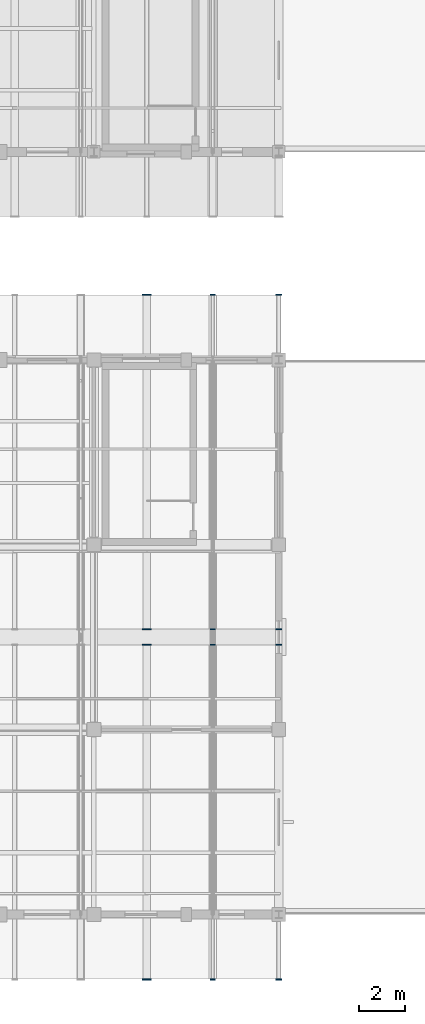
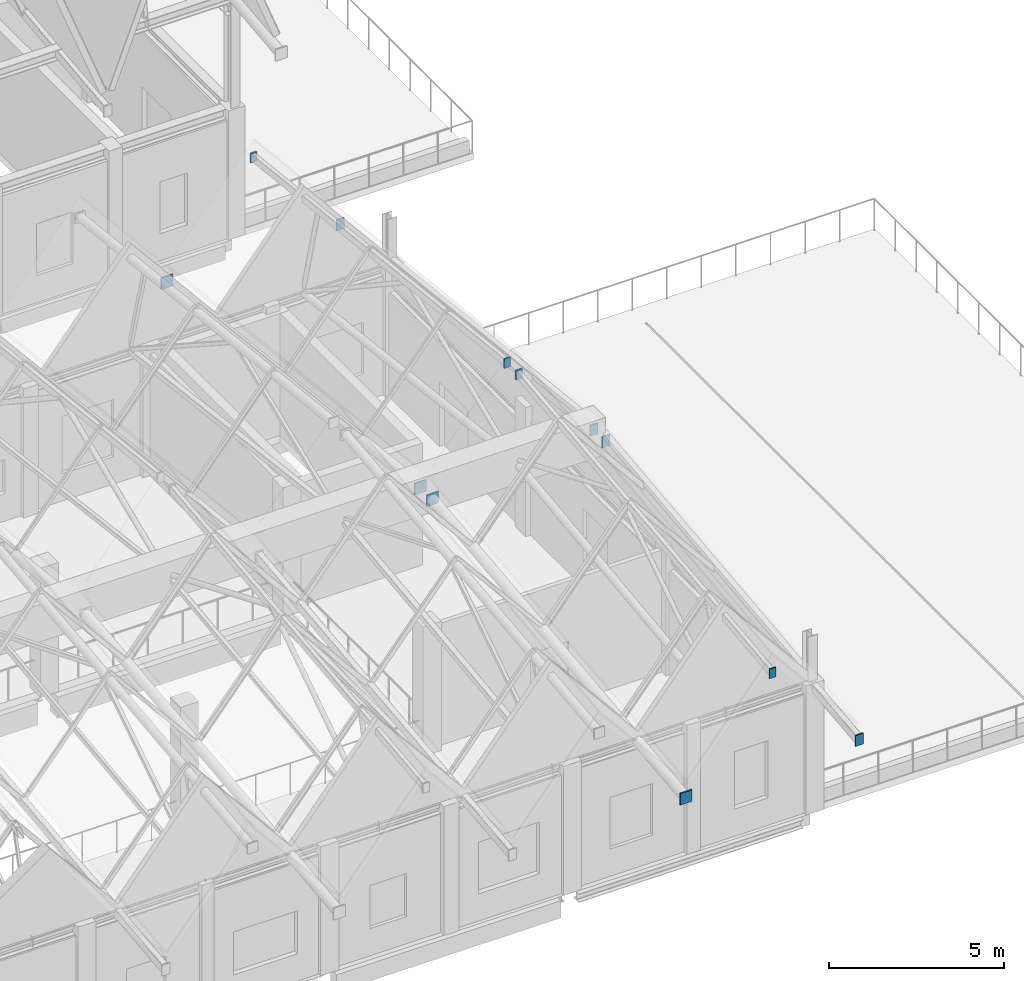
# One storey, part 56 of 77: 12 discrete accessories.
"""IFC4 building model written with IfcOpenShell, lengths in metres."""

from ifc_helpers import new_model, si_unit, direction, frame, origin, origin_2d, place, context, subcontext, project, spatial, rectangle, extrude, material, type_object, element, save


model = new_model("IFC4")

# Units and contexts
model_context = context("Model", 3, precision=1e-05, world=origin(), true_north=direction((0.0, 1.0)))
body_context = subcontext(model_context, "Body", "Model", "MODEL_VIEW")
ifc_project = project(units=[si_unit("LENGTHUNIT", "METRE"), si_unit("AREAUNIT", "SQUARE_METRE"), si_unit("VOLUMEUNIT", "CUBIC_METRE"), si_unit("PLANEANGLEUNIT", "RADIAN"), si_unit("MASSUNIT", "GRAM", prefix="KILO")], contexts=[model_context])

# Site, building, storey
site_placement = place(None, origin())
site = spatial("IfcSite", under=ifc_project, at=site_placement, CompositionType="ELEMENT")
building_placement = place(site_placement, origin())
building = spatial("IfcBuilding", under=site, at=building_placement, Name="Luwemba Playhouse", CompositionType="ELEMENT")
storey_placement = place(building_placement, frame((0.0, 0.0, 9.300048828125)))
storey = spatial("IfcBuildingStorey", under=building, at=storey_placement, Name="L02", CompositionType="ELEMENT", Elevation=9.300048828125)

# Discrete accessories
ifc_material = material(Name="Steel S355", Category="steel")
discrete_accessory_type = type_object("IfcDiscreteAccessoryType", Name="ACC-ENDCAP-S355", PredefinedType="BRACKET", material=ifc_material)
for number, where, z_axis, x_axis, name in (
    (1, (38.28564453125, 0.18505859375, 3.845703125), (0.0, 0.0, 1.0), (1.0, 0.0, 0.0), "Welded RHS end cap plate 0365"),
    (2, (38.28564453125, 14.664794921875, 5.4697265625), (0.0, 0.0, 1.0), (1.0, 0.0, 0.0), "Welded RHS end cap plate 0366"),
    (3, (38.28564453125, 15.335205078125, 5.4697265625), (0.0, 0.0, 1.0), (1.0, 0.0, 0.0), "Welded RHS end cap plate 0367"),
    (4, (38.28564453125, 29.81494140625, 3.845703125), (0.0, 0.0, 1.0), (1.0, 0.0, 0.0), "Welded RHS end cap plate 0368"),
):
    element("IfcDiscreteAccessory", number, at=place(storey_placement, frame(where, z_axis=z_axis, x_axis=x_axis)), inside=storey, type_object=discrete_accessory_type, Name=name, PredefinedType="BRACKET", context=body_context, shape_type="SweptSolid", body=[
        extrude(rectangle(XDim=0.384033203125, YDim=0.044921875, at=origin_2d()), origin(), (0.0, 0.0, 1.0), 0.404052734375),
    ])
for number, where, z_axis, x_axis, name in (
    (5, (41.142822265625, 0.18505859375, 7.224609375), (0.0, 0.0, 1.0), (1.0, 0.0, 0.0), "Welded RHS end cap plate 0369"),
    (6, (41.142822265625, 14.664794921875, 8.8486328125), (0.0, 0.0, 1.0), (1.0, 0.0, 0.0), "Welded RHS end cap plate 0370"),
    (7, (41.142822265625, 15.335205078125, 8.8486328125), (0.0, 0.0, 1.0), (1.0, 0.0, 0.0), "Welded RHS end cap plate 0371"),
    (8, (41.142822265625, 29.81494140625, 7.224609375), (0.0, 0.0, 1.0), (1.0, 0.0, 0.0), "Welded RHS end cap plate 0372"),
):
    element("IfcDiscreteAccessory", number, at=place(storey_placement, frame(where, z_axis=z_axis, x_axis=x_axis)), inside=storey, type_object=discrete_accessory_type, Name=name, PredefinedType="BRACKET", context=body_context, shape_type="SweptSolid", body=[
        extrude(rectangle(XDim=0.2099609375, YDim=0.044921875, at=origin_2d()), origin(), (0.0, 0.0, 1.0), 0.330078125),
    ])
for number, where, z_axis, x_axis, name in (
    (9, (44.0, 0.18505859375, 3.86962890625), (0.0, 0.0, 1.0), (1.0, 0.0, 0.0), "Welded RHS end cap plate 0373"),
    (10, (44.0, 14.664794921875, 5.493896484375), (0.0, 0.0, 1.0), (1.0, 0.0, 0.0), "Welded RHS end cap plate 0374"),
    (11, (44.0, 15.335205078125, 5.493896484375), (0.0, 0.0, 1.0), (1.0, 0.0, 0.0), "Welded RHS end cap plate 0375"),
    (12, (44.0, 29.81494140625, 3.86962890625), (0.0, 0.0, 1.0), (1.0, 0.0, 0.0), "Welded RHS end cap plate 0376"),
):
    element("IfcDiscreteAccessory", number, at=place(storey_placement, frame(where, z_axis=z_axis, x_axis=x_axis)), inside=storey, type_object=discrete_accessory_type, Name=name, PredefinedType="BRACKET", context=body_context, shape_type="SweptSolid", body=[
        extrude(rectangle(XDim=0.260009765625, YDim=0.044921875, at=origin_2d()), origin(), (0.0, 0.0, 1.0), 0.3798828125),
    ])

save(model, "model.ifc")
